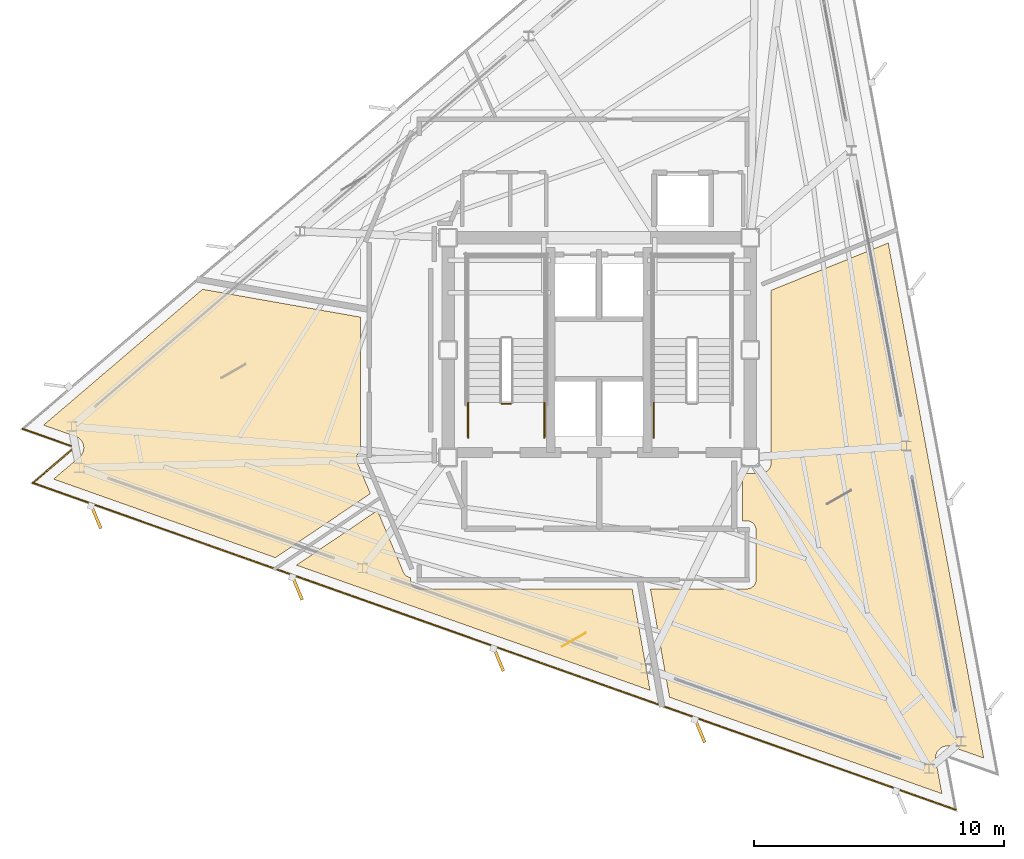
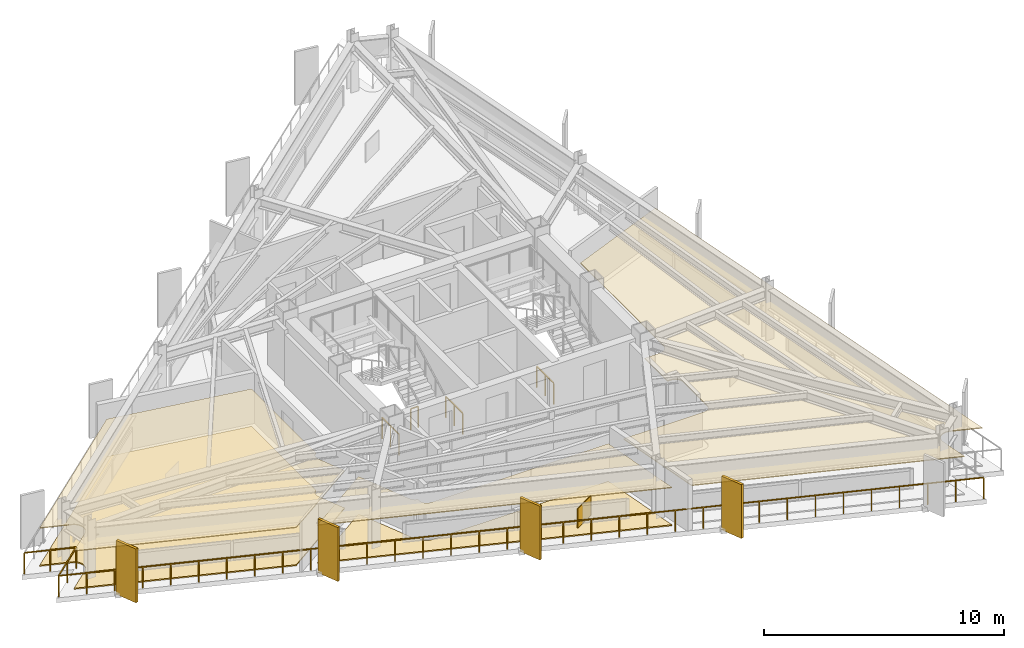
# One storey, part 11 of 14: 6 coverings, 5 railings, 4 shading devices.
"""IFC4 building model written with IfcOpenShell, lengths in metres."""

from ifc_helpers import new_model, si_unit, direction, frame, origin, origin_2d, place, context, subcontext, project, spatial, polyline, rectangle, outline, extrude, material, layer, layer_set, type_object, element, save


model = new_model("IFC4")

# Units and contexts
model_context = context("Model", 3, precision=1e-05, world=origin(), true_north=direction((0.0, 1.0)))
body_context = subcontext(model_context, "Body", "Model", "MODEL_VIEW")
ifc_project = project(units=[si_unit("LENGTHUNIT", "METRE"), si_unit("AREAUNIT", "SQUARE_METRE"), si_unit("VOLUMEUNIT", "CUBIC_METRE"), si_unit("PLANEANGLEUNIT", "RADIAN"), si_unit("MASSUNIT", "GRAM", prefix="KILO")], contexts=[model_context])

# Site, building, storey
site_placement = place(None, origin())
site = spatial("IfcSite", under=ifc_project, at=site_placement, CompositionType="ELEMENT")
building_placement = place(site_placement, origin())
building = spatial("IfcBuilding", under=site, at=building_placement, Name="Rocaltana Carrier Exchange", CompositionType="ELEMENT")
storey_placement = place(building_placement, frame((0.0, 0.0, 190.56005859375)))
storey = spatial("IfcBuildingStorey", under=building, at=storey_placement, Name="L60", CompositionType="ELEMENT", Elevation=190.56005859375)

# Coverings
ifc_material_1 = material(Name="Calcium Sulphate & Aluminium Pedestal", Category="aluminium")
ifc_layer_1 = layer(ifc_material_1, 0.06005859375)
ifc_layer_set_1 = layer_set([ifc_layer_1], Name="Calcium Sulphate & Aluminium Pedestal")
covering_type_1 = type_object("IfcCoveringType", Name="Anti-Static Raised Exchange Access Floor 60", PredefinedType="FLOORING", material=ifc_layer_set_1)
covering_1_placement = place(storey_placement, origin())
element("IfcCovering", 1, at=covering_1_placement, inside=storey, type_object=covering_type_1, Name="L60 Cloud Architecture Office Finish Floor", PredefinedType="FLOORING", context=body_context, shape_type="SweptSolid", body=[
    extrude(outline(polyline([(-20.80615234375, -4.279052734375), (-20.795654296875, -4.269775390625), (-20.78125, -4.256103515625), (-20.761962890625, -4.23583984375), (-20.748779296875, -4.220703125), (-20.731689453125, -4.19873046875), (-20.72021484375, -4.1826171875), (-20.705078125, -4.158935546875), (-20.6953125, -4.1416015625), (-20.682861328125, -4.11669921875), (-20.6748046875, -4.098388671875), (-20.664794921875, -4.072265625), (-20.65869140625, -4.053466796875), (-20.6513671875, -4.0263671875), (-20.64697265625, -4.0068359375), (-20.642333984375, -3.9794921875), (-20.64013671875, -3.959716796875), (-20.63818359375, -3.931884765625), (-20.637939453125, -3.911865234375), (-20.638916015625, -3.8837890625), (-20.640625, -3.864013671875), (-20.644287109375, -3.83642578125), (-20.64794921875, -3.81689453125), (-20.654296875, -3.78955078125), (-20.659912109375, -3.7705078125), (-20.6689453125, -3.744140625), (-20.676513671875, -3.7255859375), (-20.688232421875, -3.7001953125), (-20.697509765625, -3.6826171875), (-20.711669921875, -3.658447265625), (-20.72265625, -3.641845703125), (-20.739013671875, -3.619384765625), (-20.751708984375, -3.60400390625), (-20.770263671875, -3.5830078125), (-20.7841796875, -3.569091796875), (-20.804931640625, -3.55029296875), (-20.8203125, -3.53759765625), (-20.8427734375, -3.520751953125), (-20.859375, -3.509765625), (-20.88330078125, -3.495361328125), (-20.90087890625, -3.486083984375), (-20.926025390625, -3.47412109375), (-20.944580078125, -3.466552734375), (-20.95751953125, -3.46142578125), (-22.247802734375, -3.004638671875), (-15.87939453125, 2.434326171875), (-9.56005859375, 1.320068359375), (-9.56005859375, -4.052001953125), (-9.57177734375, -4.06005859375), (-9.578125, -4.064697265625), (-9.59912109375, -4.082275390625), (-9.60498046875, -4.087646484375), (-9.624267578125, -4.107177734375), (-9.629638671875, -4.113037109375), (-9.64697265625, -4.134521484375), (-9.651611328125, -4.140625), (-9.666748046875, -4.16357421875), (-9.670654296875, -4.17041015625), (-9.68359375, -4.194580078125), (-9.686767578125, -4.201904296875), (-9.697265625, -4.227294921875), (-9.69970703125, -4.234619140625), (-9.70751953125, -4.260986328125), (-9.70947265625, -4.2685546875), (-9.714599609375, -4.295654296875), (-9.7158203125, -4.30322265625), (-9.718505859375, -4.330810546875), (-9.71875, -4.33837890625), (-9.718505859375, -4.365966796875), (-9.71826171875, -4.373779296875), (-9.71533203125, -4.401123046875), (-9.714111328125, -4.408935546875), (-9.70849609375, -4.435791015625), (-9.706787109375, -4.443603515625), (-9.698486328125, -4.4697265625), (-9.69580078125, -4.47705078125), (-9.69091796875, -4.489990234375), (-9.16259765625, -5.74609375), (-12.967041015625, -8.312255859375), (-21.8466796875, -5.167724609375), (-20.80615234375, -4.279052734375)])), origin(), (0.0, 0.0, 1.0), 0.06005859375),
])
covering_2_placement = place(storey_placement, origin())
element("IfcCovering", 2, at=covering_2_placement, inside=storey, type_object=covering_type_1, Name="L60 Network Operations Office Finish Floor", PredefinedType="FLOORING", context=body_context, shape_type="SweptSolid", body=[
    extrude(outline(polyline([(-12.122802734375, -8.611083984375), (-8.878173828125, -6.422607421875), (-7.8408203125, -8.889892578125), (-7.835205078125, -8.90234375), (-7.831787109375, -8.909423828125), (-7.818603515625, -8.93359375), (-7.814697265625, -8.9404296875), (-7.79931640625, -8.963134765625), (-7.794677734375, -8.969482421875), (-7.777099609375, -8.990478515625), (-7.771728515625, -8.996337890625), (-7.752197265625, -9.015625), (-7.746337890625, -9.02099609375), (-7.72509765625, -9.038330078125), (-7.71875, -9.04296875), (-7.69580078125, -9.05810546875), (-7.68896484375, -9.06201171875), (-7.664794921875, -9.074951171875), (-7.65771484375, -9.078125), (-7.632080078125, -9.088623046875), (-7.624755859375, -9.09130859375), (-7.598388671875, -9.09912109375), (-7.5908203125, -9.100830078125), (-7.563720703125, -9.106201171875), (-7.56005859375, -9.106689453125), (-7.56005859375, -9.199951171875), (-7.559814453125, -9.213623046875), (-7.559326171875, -9.2216796875), (-7.556640625, -9.248779296875), (-7.555419921875, -9.256591796875), (-7.550048828125, -9.28369140625), (-7.548095703125, -9.291259765625), (-7.540283203125, -9.317626953125), (-7.53759765625, -9.324951171875), (-7.527099609375, -9.350341796875), (-7.523681640625, -9.357421875), (-7.5107421875, -9.381591796875), (-7.506591796875, -9.388427734375), (-7.491455078125, -9.4111328125), (-7.48681640625, -9.41748046875), (-7.46923828125, -9.438720703125), (-7.464111328125, -9.444580078125), (-7.444580078125, -9.464111328125), (-7.438720703125, -9.46923828125), (-7.41748046875, -9.48681640625), (-7.4111328125, -9.491455078125), (-7.388427734375, -9.506591796875), (-7.381591796875, -9.5107421875), (-7.357421875, -9.523681640625), (-7.350341796875, -9.527099609375), (-7.324951171875, -9.53759765625), (-7.317626953125, -9.540283203125), (-7.291259765625, -9.548095703125), (-7.28369140625, -9.550048828125), (-7.256591796875, -9.555419921875), (-7.248779296875, -9.556640625), (-7.2216796875, -9.559326171875), (-7.213623046875, -9.559814453125), (-7.199951171875, -9.56005859375), (1.320068359375, -9.56005859375), (2.037109375, -13.62548828125), (-12.122802734375, -8.611083984375)])), origin(), (0.0, 0.0, 1.0), 0.06005859375),
])
ifc_material_2 = material(Name="Mineral Fibre & Powder-Coated Aluminium", Category="aluminium")
ifc_layer_2 = layer(ifc_material_2, 0.044921875)
ifc_layer_set_2 = layer_set([ifc_layer_2], Name="Mineral Fibre & Powder-Coated Aluminium")
covering_type_2 = type_object("IfcCoveringType", Name="Micro-Perforated Acoustic Ceiling 45", PredefinedType="CEILING", material=ifc_layer_set_2)
covering_3_placement = place(storey_placement, frame((0.0, 0.0, 1.9228515625)))
element("IfcCovering", 3, at=covering_3_placement, inside=storey, type_object=covering_type_2, Name="L60 Cloud Architecture Office Acoustic Ceiling", PredefinedType="CEILING", context=body_context, shape_type="SweptSolid", body=[
    extrude(outline(polyline([(-20.80615234375, -4.279052734375), (-20.795654296875, -4.269775390625), (-20.78125, -4.256103515625), (-20.761962890625, -4.23583984375), (-20.748779296875, -4.220703125), (-20.731689453125, -4.19873046875), (-20.72021484375, -4.1826171875), (-20.705078125, -4.158935546875), (-20.6953125, -4.1416015625), (-20.682861328125, -4.11669921875), (-20.6748046875, -4.098388671875), (-20.664794921875, -4.072265625), (-20.65869140625, -4.053466796875), (-20.6513671875, -4.0263671875), (-20.64697265625, -4.0068359375), (-20.642333984375, -3.9794921875), (-20.64013671875, -3.959716796875), (-20.63818359375, -3.931884765625), (-20.637939453125, -3.911865234375), (-20.638916015625, -3.8837890625), (-20.640625, -3.864013671875), (-20.644287109375, -3.83642578125), (-20.64794921875, -3.81689453125), (-20.654296875, -3.78955078125), (-20.659912109375, -3.7705078125), (-20.6689453125, -3.744140625), (-20.676513671875, -3.7255859375), (-20.688232421875, -3.7001953125), (-20.697509765625, -3.6826171875), (-20.711669921875, -3.658447265625), (-20.72265625, -3.641845703125), (-20.739013671875, -3.619384765625), (-20.751708984375, -3.60400390625), (-20.770263671875, -3.5830078125), (-20.7841796875, -3.569091796875), (-20.804931640625, -3.55029296875), (-20.8203125, -3.53759765625), (-20.8427734375, -3.520751953125), (-20.859375, -3.509765625), (-20.88330078125, -3.495361328125), (-20.90087890625, -3.486083984375), (-20.926025390625, -3.47412109375), (-20.944580078125, -3.466552734375), (-20.95751953125, -3.46142578125), (-22.247802734375, -3.004638671875), (-15.87939453125, 2.434326171875), (-9.56005859375, 1.320068359375), (-9.56005859375, -4.052001953125), (-9.57177734375, -4.06005859375), (-9.578125, -4.064697265625), (-9.59912109375, -4.082275390625), (-9.60498046875, -4.087646484375), (-9.624267578125, -4.107177734375), (-9.629638671875, -4.113037109375), (-9.64697265625, -4.134521484375), (-9.651611328125, -4.140625), (-9.666748046875, -4.16357421875), (-9.670654296875, -4.17041015625), (-9.68359375, -4.194580078125), (-9.686767578125, -4.201904296875), (-9.697265625, -4.227294921875), (-9.69970703125, -4.234619140625), (-9.70751953125, -4.260986328125), (-9.70947265625, -4.2685546875), (-9.714599609375, -4.295654296875), (-9.7158203125, -4.30322265625), (-9.718505859375, -4.330810546875), (-9.71875, -4.33837890625), (-9.718505859375, -4.365966796875), (-9.71826171875, -4.373779296875), (-9.71533203125, -4.401123046875), (-9.714111328125, -4.408935546875), (-9.70849609375, -4.435791015625), (-9.706787109375, -4.443603515625), (-9.698486328125, -4.4697265625), (-9.69580078125, -4.47705078125), (-9.69091796875, -4.489990234375), (-9.16259765625, -5.74609375), (-12.967041015625, -8.312255859375), (-21.8466796875, -5.167724609375), (-20.80615234375, -4.279052734375)])), origin(), (0.0, 0.0, 1.0), 0.045166015625),
])
covering_4_placement = place(storey_placement, frame((0.0, 0.0, 1.9228515625)))
element("IfcCovering", 4, at=covering_4_placement, inside=storey, type_object=covering_type_2, Name="L60 Network Operations Office Acoustic Ceiling", PredefinedType="CEILING", context=body_context, shape_type="SweptSolid", body=[
    extrude(outline(polyline([(-12.122802734375, -8.611083984375), (-8.878173828125, -6.422607421875), (-7.8408203125, -8.889892578125), (-7.835205078125, -8.90234375), (-7.831787109375, -8.909423828125), (-7.818603515625, -8.93359375), (-7.814697265625, -8.9404296875), (-7.79931640625, -8.963134765625), (-7.794677734375, -8.969482421875), (-7.777099609375, -8.990478515625), (-7.771728515625, -8.996337890625), (-7.752197265625, -9.015625), (-7.746337890625, -9.02099609375), (-7.72509765625, -9.038330078125), (-7.71875, -9.04296875), (-7.69580078125, -9.05810546875), (-7.68896484375, -9.06201171875), (-7.664794921875, -9.074951171875), (-7.65771484375, -9.078125), (-7.632080078125, -9.088623046875), (-7.624755859375, -9.09130859375), (-7.598388671875, -9.09912109375), (-7.5908203125, -9.100830078125), (-7.563720703125, -9.106201171875), (-7.56005859375, -9.106689453125), (-7.56005859375, -9.199951171875), (-7.559814453125, -9.213623046875), (-7.559326171875, -9.2216796875), (-7.556640625, -9.248779296875), (-7.555419921875, -9.256591796875), (-7.550048828125, -9.28369140625), (-7.548095703125, -9.291259765625), (-7.540283203125, -9.317626953125), (-7.53759765625, -9.324951171875), (-7.527099609375, -9.350341796875), (-7.523681640625, -9.357421875), (-7.5107421875, -9.381591796875), (-7.506591796875, -9.388427734375), (-7.491455078125, -9.4111328125), (-7.48681640625, -9.41748046875), (-7.46923828125, -9.438720703125), (-7.464111328125, -9.444580078125), (-7.444580078125, -9.464111328125), (-7.438720703125, -9.46923828125), (-7.41748046875, -9.48681640625), (-7.4111328125, -9.491455078125), (-7.388427734375, -9.506591796875), (-7.381591796875, -9.5107421875), (-7.357421875, -9.523681640625), (-7.350341796875, -9.527099609375), (-7.324951171875, -9.53759765625), (-7.317626953125, -9.540283203125), (-7.291259765625, -9.548095703125), (-7.28369140625, -9.550048828125), (-7.256591796875, -9.555419921875), (-7.248779296875, -9.556640625), (-7.2216796875, -9.559326171875), (-7.213623046875, -9.559814453125), (-7.199951171875, -9.56005859375), (1.320068359375, -9.56005859375), (2.037109375, -13.62548828125), (-12.122802734375, -8.611083984375)])), origin(), (0.0, 0.0, 1.0), 0.045166015625),
])
covering_5_placement = place(storey_placement, frame((0.0, 0.0, 1.9228515625)))
element("IfcCovering", 5, at=covering_5_placement, inside=storey, type_object=covering_type_2, Name="L60 Cloud Architecture Office Acoustic Ceiling", PredefinedType="CEILING", context=body_context, shape_type="SweptSolid", body=[
    extrude(outline(polyline([(5.739990234375, -6.840087890625), (5.739990234375, -4.93994140625), (6.449951171875, -4.93994140625), (6.463623046875, -4.939697265625), (6.4794921875, -4.93896484375), (6.5068359375, -4.936279296875), (6.522216796875, -4.933837890625), (6.54931640625, -4.928466796875), (6.564453125, -4.9248046875), (6.5908203125, -4.916748046875), (6.605712890625, -4.91162109375), (6.630859375, -4.90087890625), (6.64501953125, -4.894287109375), (6.66943359375, -4.88134765625), (6.682861328125, -4.873291015625), (6.705810546875, -4.85791015625), (6.71826171875, -4.8486328125), (6.739501953125, -4.8310546875), (6.751220703125, -4.820556640625), (6.7705078125, -4.80126953125), (6.781005859375, -4.78955078125), (6.798583984375, -4.768310546875), (6.807861328125, -4.755615234375), (6.8232421875, -4.73291015625), (6.831298828125, -4.719482421875), (6.84423828125, -4.695068359375), (6.850830078125, -4.680908203125), (6.861572265625, -4.655517578125), (6.86669921875, -4.640869140625), (6.874755859375, -4.614501953125), (6.87841796875, -4.59912109375), (6.8837890625, -4.572265625), (6.88623046875, -4.556884765625), (6.888916015625, -4.529296875), (6.8896484375, -4.513671875), (6.889892578125, -4.5), (6.889892578125, 2.3955078125), (11.576171875, 4.288818359375), (15.398681640625, -16.3359375), (14.108642578125, -15.879150390625), (14.095458984375, -15.874755859375), (14.076416015625, -15.869140625), (14.04931640625, -15.8623046875), (14.02978515625, -15.858642578125), (14.001953125, -15.854736328125), (13.982177734375, -15.852783203125), (13.954345703125, -15.851806640625), (13.934326171875, -15.85205078125), (13.906494140625, -15.853515625), (13.88671875, -15.855712890625), (13.859130859375, -15.860107421875), (13.839599609375, -15.8642578125), (13.8125, -15.871337890625), (13.793701171875, -15.87744140625), (13.767333984375, -15.88720703125), (13.7490234375, -15.89501953125), (13.72412109375, -15.907470703125), (13.706787109375, -15.9169921875), (13.68310546875, -15.931884765625), (13.66650390625, -15.943359375), (13.64453125, -15.960205078125), (13.62939453125, -15.973388671875), (13.60888671875, -15.992431640625), (13.59521484375, -16.0068359375), (13.576904296875, -16.02783203125), (13.564697265625, -16.043701171875), (13.548583984375, -16.06640625), (13.537841796875, -16.083251953125), (13.524169921875, -16.107666015625), (13.51513671875, -16.12548828125), (13.50390625, -16.15087890625), (13.496826171875, -16.16943359375), (13.48828125, -16.196044921875), (13.48291015625, -16.21533203125), (13.47705078125, -16.24267578125), (13.4736328125, -16.26220703125), (13.470458984375, -16.2900390625), (13.468994140625, -16.309814453125), (13.46875, -16.337890625), (13.469482421875, -16.357666015625), (13.4716796875, -16.385498046875), (13.474365234375, -16.4052734375), (13.4765625, -16.419189453125), (13.725830078125, -17.7646484375), (2.81689453125, -13.901611328125), (2.05126953125, -9.56005859375), (5.919921875, -9.56005859375), (5.93359375, -9.559814453125), (5.941650390625, -9.559326171875), (5.968994140625, -9.556640625), (5.976806640625, -9.555419921875), (6.003662109375, -9.550048828125), (6.01123046875, -9.548095703125), (6.03759765625, -9.540283203125), (6.044921875, -9.53759765625), (6.0703125, -9.527099609375), (6.077392578125, -9.523681640625), (6.101806640625, -9.5107421875), (6.1083984375, -9.506591796875), (6.131103515625, -9.491455078125), (6.137451171875, -9.48681640625), (6.15869140625, -9.46923828125), (6.16455078125, -9.464111328125), (6.18408203125, -9.444580078125), (6.189208984375, -9.438720703125), (6.206787109375, -9.41748046875), (6.21142578125, -9.4111328125), (6.226806640625, -9.388427734375), (6.230712890625, -9.381591796875), (6.24365234375, -9.357421875), (6.2470703125, -9.350341796875), (6.257568359375, -9.324951171875), (6.26025390625, -9.317626953125), (6.268310546875, -9.291259765625), (6.27001953125, -9.28369140625), (6.275390625, -9.256591796875), (6.276611328125, -9.248779296875), (6.279296875, -9.2216796875), (6.27978515625, -9.213623046875), (6.280029296875, -9.199951171875), (6.280029296875, -7.199951171875), (6.27978515625, -7.186279296875), (6.279296875, -7.178466796875), (6.276611328125, -7.151123046875), (6.275390625, -7.143310546875), (6.27001953125, -7.116455078125), (6.268310546875, -7.108642578125), (6.26025390625, -7.08251953125), (6.257568359375, -7.0751953125), (6.2470703125, -7.0498046875), (6.24365234375, -7.04248046875), (6.230712890625, -7.018310546875), (6.226806640625, -7.01171875), (6.21142578125, -6.98876953125), (6.206787109375, -6.982421875), (6.189208984375, -6.961181640625), (6.18408203125, -6.955322265625), (6.16455078125, -6.93603515625), (6.15869140625, -6.9306640625), (6.137451171875, -6.913330078125), (6.131103515625, -6.90869140625), (6.1083984375, -6.893310546875), (6.101806640625, -6.889404296875), (6.077392578125, -6.876220703125), (6.0703125, -6.873046875), (6.044921875, -6.862548828125), (6.03759765625, -6.85986328125), (6.01123046875, -6.851806640625), (6.003662109375, -6.849853515625), (5.976806640625, -6.844482421875), (5.968994140625, -6.843505859375), (5.941650390625, -6.8408203125), (5.93359375, -6.84033203125), (5.919921875, -6.840087890625), (5.739990234375, -6.840087890625)])), origin(), (0.0, 0.0, 1.0), 0.045166015625),
])

# Railings
ifc_material_3 = material(Name="Powder-Coated Aluminium 6063-T6", Category="aluminium")
ifc_layer_3 = layer(ifc_material_3, 0.048095703125)
ifc_layer_set_3 = layer_set([ifc_layer_3], Name="Powder-Coated Aluminium 6063-T6")
railing_type_1 = type_object("IfcRailingType", Name="Stair Well Guardrail 1100", PredefinedType="GUARDRAIL", material=ifc_layer_set_3)
railing_1_placement = place(storey_placement, frame((-3.5400390625, -2.14990234375, 0.0)))
element("IfcRailing", 6, at=railing_1_placement, inside=storey, type_object=railing_type_1, Name="L60 ST-1 stair guard 7", PredefinedType="GUARDRAIL", context=body_context, shape_type="SweptSolid", body=[
    extrude(rectangle(XDim=0.048095703125, YDim=0.048095703125, at=origin_2d()), frame((0.0, 0.0, 1.076171875), z_axis=(-1.0, 0.0, 0.0), x_axis=(0.0, -1.0, 0.0)), (0.0, 0.0, 1.0), 0.35986328125),
    extrude(rectangle(XDim=0.0419921875, YDim=0.0419921875, at=origin_2d()), origin(), (0.0, 0.0, 1.0), 1.052001953125),
    extrude(rectangle(XDim=0.0419921875, YDim=0.0419921875, at=origin_2d()), frame((-0.35986328125, 0.0, 0.0)), (0.0, 0.0, 1.0), 1.052001953125),
])
for number, where, name in (
    (7, (-2.18994140625, -3.5, 0.0), "L60 ST-1 stair guard 8"),
    (8, (-5.25, -3.5, 0.0), "L60 ST-1 stair guard 9"),
    (9, (2.18994140625, -3.5, 0.0), "L60 ST-2 stair guard 9"),
):
    element("IfcRailing", number, at=place(storey_placement, frame(where)), inside=storey, type_object=railing_type_1, Name=name, PredefinedType="GUARDRAIL", context=body_context, shape_type="SweptSolid", body=[
        extrude(rectangle(XDim=0.048095703125, YDim=0.048095703125, at=origin_2d()), frame((0.0, 0.0, 1.076171875), z_axis=(0.0, 1.0, 0.0), x_axis=(-1.0, 0.0, 0.0)), (0.0, 0.0, 1.0), 1.39990234375),
        extrude(rectangle(XDim=0.0419921875, YDim=0.0419921875, at=origin_2d()), origin(), (0.0, 0.0, 1.0), 1.052001953125),
        extrude(rectangle(XDim=0.0419921875, YDim=0.0419921875, at=origin_2d()), frame((0.0, 0.699951171875, 0.0)), (0.0, 0.0, 1.0), 1.052001953125),
        extrude(rectangle(XDim=0.0419921875, YDim=0.0419921875, at=origin_2d()), frame((0.0, 1.39990234375, 0.0)), (0.0, 0.0, 1.0), 1.052001953125),
    ])

# Covering
ifc_material_4 = material(Name="Honed Piedra Muneca Sandstone", Category="masonry")
ifc_layer_4 = layer(ifc_material_4, 0.034912109375)
ifc_layer_set_4 = layer_set([ifc_layer_4], Name="Honed Piedra Muneca Sandstone")
covering_type_3 = type_object("IfcCoveringType", Name="Stone Facade Cladding 35", PredefinedType="CLADDING", material=ifc_layer_set_4)
covering_6_placement = place(storey_placement, frame((-1.01220703125, -11.5927734375, 0.0), z_axis=(0.0, 0.0, 1.0), x_axis=(0.866025403784, 0.5, 0.0)))
element("IfcCovering", 10, at=covering_6_placement, inside=storey, type_object=covering_type_3, Name="L60 Stone Facade Cladding Panel 2", PredefinedType="CLADDING", context=body_context, shape_type="SweptSolid", body=[
    extrude(rectangle(XDim=1.10009765625, YDim=0.034912109375, at=origin_2d()), origin(), (0.0, 0.0, 1.0), 1.050048828125),
])

# Shading devices
ifc_material_5 = material(Name="Honed Bogota Sandstone & Concrete C45/55", Category="masonry")
ifc_layer_5 = layer(ifc_material_5, 0.1201171875)
ifc_layer_set_5 = layer_set([ifc_layer_5], Name="Honed Bogota Sandstone & Concrete C45/55")
shading_device_type = type_object("IfcShadingDeviceType", Name="Upper Sandstone Shading Fin 1050x120", PredefinedType="USERDEFINED", material=ifc_layer_set_5)
for number, where, z_axis, x_axis, name in (
    (11, (-20.154296875, -6.65869140625, -0.1201171875), (0.0, 0.0, 1.0), (0.382683432365, -0.923879532511, 0.0), "L60 Sandstone Vertical Fin F3-01"),
    (12, (-12.094482421875, -9.5126953125, -0.1201171875), (0.0, 0.0, 1.0), (0.382683432365, -0.923879532511, 0.0), "L60 Sandstone Vertical Fin F3-02"),
    (13, (-4.034912109375, -12.36669921875, -0.1201171875), (0.0, 0.0, 1.0), (0.382683432365, -0.923879532511, 0.0), "L60 Sandstone Vertical Fin F3-03"),
    (14, (4.0244140625, -15.220947265625, -0.1201171875), (0.0, 0.0, 1.0), (0.382683432365, -0.923879532511, 0.0), "L60 Sandstone Vertical Fin F3-04"),
):
    element("IfcShadingDevice", number, at=place(storey_placement, frame(where, z_axis=z_axis, x_axis=x_axis)), inside=storey, type_object=shading_device_type, Name=name, ObjectType="FIN", PredefinedType="USERDEFINED", context=body_context, shape_type="SweptSolid", body=[
        extrude(rectangle(XDim=1.050048828125, YDim=0.1201171875, at=origin_2d()), origin(), (0.0, 0.0, 1.0), 2.738037109375),
    ])

# Railing
ifc_material_6 = material(Name="Powder-Coated Aluminium 6063-T6", Category="aluminium")
ifc_layer_6 = layer(ifc_material_6, 0.06005859375)
ifc_layer_set_6 = layer_set([ifc_layer_6], Name="Powder-Coated Aluminium 6063-T6")
railing_type_2 = type_object("IfcRailingType", Name="Wind-Floor & Terrace Perimeter Guardrail 1100", PredefinedType="GUARDRAIL", material=ifc_layer_set_6)
railing_2_placement = place(storey_placement, frame((14.271484375, -18.403564453125, 0.0)))
element("IfcRailing", 15, at=railing_2_placement, inside=storey, type_object=railing_type_2, Name="L60 Perimeter Balcony Guardrail 1", PredefinedType="GUARDRAIL", context=body_context, shape_type="SweptSolid", body=[
    extrude(rectangle(XDim=0.048095703125, YDim=0.048095703125, at=origin_2d()), frame((0.0, 0.0, 1.076171875), z_axis=(-0.94264008911, 0.333810818284, 0.0), x_axis=(-0.333810818284, -0.94264008911, 0.0)), (0.0, 0.0, 1.0), 39.192138671875),
    extrude(rectangle(XDim=0.048095703125, YDim=0.048095703125, at=origin_2d()), frame((-36.944091796875, 13.082763671875, 1.076171875), z_axis=(0.760414781346, 0.649437726275, 0.0), x_axis=(-0.649437726275, 0.760414781346, 0.0)), (0.0, 0.0, 1.0), 2.199951171875),
    extrude(rectangle(XDim=0.048095703125, YDim=0.048095703125, at=origin_2d()), frame((-35.271240234375, 14.511474609375, 1.076171875), z_axis=(-0.942637410797, 0.333818381408, 0.0), x_axis=(-0.333818381408, -0.942637410797, 0.0)), (0.0, 0.0, 1.0), 2.199951171875),
    extrude(rectangle(XDim=0.0419921875, YDim=0.0419921875, at=origin_2d()), origin(), (0.0, 0.0, 1.0), 1.052001953125),
    extrude(rectangle(XDim=0.0419921875, YDim=0.0419921875, at=origin_2d()), frame((-1.11962890625, 0.396484375, 0.0)), (0.0, 0.0, 1.0), 1.052001953125),
    extrude(rectangle(XDim=0.0419921875, YDim=0.0419921875, at=origin_2d()), frame((-2.239013671875, 0.79296875, 0.0)), (0.0, 0.0, 1.0), 1.052001953125),
    extrude(rectangle(XDim=0.0419921875, YDim=0.0419921875, at=origin_2d()), frame((-3.358642578125, 1.189453125, 0.0)), (0.0, 0.0, 1.0), 1.052001953125),
    extrude(rectangle(XDim=0.0419921875, YDim=0.0419921875, at=origin_2d()), frame((-4.47802734375, 1.585693359375, 0.0)), (0.0, 0.0, 1.0), 1.052001953125),
    extrude(rectangle(XDim=0.0419921875, YDim=0.0419921875, at=origin_2d()), frame((-5.59765625, 1.982177734375, 0.0)), (0.0, 0.0, 1.0), 1.052001953125),
    extrude(rectangle(XDim=0.0419921875, YDim=0.0419921875, at=origin_2d()), frame((-6.717041015625, 2.378662109375, 0.0)), (0.0, 0.0, 1.0), 1.052001953125),
    extrude(rectangle(XDim=0.0419921875, YDim=0.0419921875, at=origin_2d()), frame((-7.836669921875, 2.775146484375, 0.0)), (0.0, 0.0, 1.0), 1.052001953125),
    extrude(rectangle(XDim=0.0419921875, YDim=0.0419921875, at=origin_2d()), frame((-8.9560546875, 3.171630859375, 0.0)), (0.0, 0.0, 1.0), 1.052001953125),
    extrude(rectangle(XDim=0.0419921875, YDim=0.0419921875, at=origin_2d()), frame((-10.07568359375, 3.568115234375, 0.0)), (0.0, 0.0, 1.0), 1.052001953125),
    extrude(rectangle(XDim=0.0419921875, YDim=0.0419921875, at=origin_2d()), frame((-11.195068359375, 3.96435546875, 0.0)), (0.0, 0.0, 1.0), 1.052001953125),
    extrude(rectangle(XDim=0.0419921875, YDim=0.0419921875, at=origin_2d()), frame((-12.314697265625, 4.36083984375, 0.0)), (0.0, 0.0, 1.0), 1.052001953125),
    extrude(rectangle(XDim=0.0419921875, YDim=0.0419921875, at=origin_2d()), frame((-13.434326171875, 4.75732421875, 0.0)), (0.0, 0.0, 1.0), 1.052001953125),
    extrude(rectangle(XDim=0.0419921875, YDim=0.0419921875, at=origin_2d()), frame((-14.5537109375, 5.15380859375, 0.0)), (0.0, 0.0, 1.0), 1.052001953125),
    extrude(rectangle(XDim=0.0419921875, YDim=0.0419921875, at=origin_2d()), frame((-15.67333984375, 5.55029296875, 0.0)), (0.0, 0.0, 1.0), 1.052001953125),
    extrude(rectangle(XDim=0.0419921875, YDim=0.0419921875, at=origin_2d()), frame((-16.792724609375, 5.94677734375, 0.0)), (0.0, 0.0, 1.0), 1.052001953125),
    extrude(rectangle(XDim=0.0419921875, YDim=0.0419921875, at=origin_2d()), frame((-17.912353515625, 6.34326171875, 0.0)), (0.0, 0.0, 1.0), 1.052001953125),
    extrude(rectangle(XDim=0.0419921875, YDim=0.0419921875, at=origin_2d()), frame((-19.03173828125, 6.739501953125, 0.0)), (0.0, 0.0, 1.0), 1.052001953125),
    extrude(rectangle(XDim=0.0419921875, YDim=0.0419921875, at=origin_2d()), frame((-20.1513671875, 7.135986328125, 0.0)), (0.0, 0.0, 1.0), 1.052001953125),
    extrude(rectangle(XDim=0.0419921875, YDim=0.0419921875, at=origin_2d()), frame((-21.270751953125, 7.532470703125, 0.0)), (0.0, 0.0, 1.0), 1.052001953125),
    extrude(rectangle(XDim=0.0419921875, YDim=0.0419921875, at=origin_2d()), frame((-22.390380859375, 7.928955078125, 0.0)), (0.0, 0.0, 1.0), 1.052001953125),
    extrude(rectangle(XDim=0.0419921875, YDim=0.0419921875, at=origin_2d()), frame((-23.509765625, 8.325439453125, 0.0)), (0.0, 0.0, 1.0), 1.052001953125),
    extrude(rectangle(XDim=0.0419921875, YDim=0.0419921875, at=origin_2d()), frame((-24.62939453125, 8.721923828125, 0.0)), (0.0, 0.0, 1.0), 1.052001953125),
    extrude(rectangle(XDim=0.0419921875, YDim=0.0419921875, at=origin_2d()), frame((-25.7490234375, 9.118408203125, 0.0)), (0.0, 0.0, 1.0), 1.052001953125),
    extrude(rectangle(XDim=0.0419921875, YDim=0.0419921875, at=origin_2d()), frame((-26.868408203125, 9.5146484375, 0.0)), (0.0, 0.0, 1.0), 1.052001953125),
    extrude(rectangle(XDim=0.0419921875, YDim=0.0419921875, at=origin_2d()), frame((-27.988037109375, 9.9111328125, 0.0)), (0.0, 0.0, 1.0), 1.052001953125),
    extrude(rectangle(XDim=0.0419921875, YDim=0.0419921875, at=origin_2d()), frame((-29.107421875, 10.3076171875, 0.0)), (0.0, 0.0, 1.0), 1.052001953125),
    extrude(rectangle(XDim=0.0419921875, YDim=0.0419921875, at=origin_2d()), frame((-30.22705078125, 10.7041015625, 0.0)), (0.0, 0.0, 1.0), 1.052001953125),
    extrude(rectangle(XDim=0.0419921875, YDim=0.0419921875, at=origin_2d()), frame((-31.346435546875, 11.1005859375, 0.0)), (0.0, 0.0, 1.0), 1.052001953125),
    extrude(rectangle(XDim=0.0419921875, YDim=0.0419921875, at=origin_2d()), frame((-32.466064453125, 11.4970703125, 0.0)), (0.0, 0.0, 1.0), 1.052001953125),
    extrude(rectangle(XDim=0.0419921875, YDim=0.0419921875, at=origin_2d()), frame((-33.58544921875, 11.893310546875, 0.0)), (0.0, 0.0, 1.0), 1.052001953125),
    extrude(rectangle(XDim=0.0419921875, YDim=0.0419921875, at=origin_2d()), frame((-34.705078125, 12.289794921875, 0.0)), (0.0, 0.0, 1.0), 1.052001953125),
    extrude(rectangle(XDim=0.0419921875, YDim=0.0419921875, at=origin_2d()), frame((-35.824462890625, 12.686279296875, 0.0)), (0.0, 0.0, 1.0), 1.052001953125),
    extrude(rectangle(XDim=0.0419921875, YDim=0.0419921875, at=origin_2d()), frame((-36.944091796875, 13.082763671875, 0.0)), (0.0, 0.0, 1.0), 1.052001953125),
    extrude(rectangle(XDim=0.0419921875, YDim=0.0419921875, at=origin_2d()), frame((-36.107666015625, 13.797119140625, 0.0)), (0.0, 0.0, 1.0), 1.052001953125),
    extrude(rectangle(XDim=0.0419921875, YDim=0.0419921875, at=origin_2d()), frame((-35.271240234375, 14.511474609375, 0.0)), (0.0, 0.0, 1.0), 1.052001953125),
    extrude(rectangle(XDim=0.0419921875, YDim=0.0419921875, at=origin_2d()), frame((-36.30810546875, 14.878662109375, 0.0)), (0.0, 0.0, 1.0), 1.052001953125),
    extrude(rectangle(XDim=0.0419921875, YDim=0.0419921875, at=origin_2d()), frame((-37.344970703125, 15.245849609375, 0.0)), (0.0, 0.0, 1.0), 1.052001953125),
])

save(model, "model.ifc")
